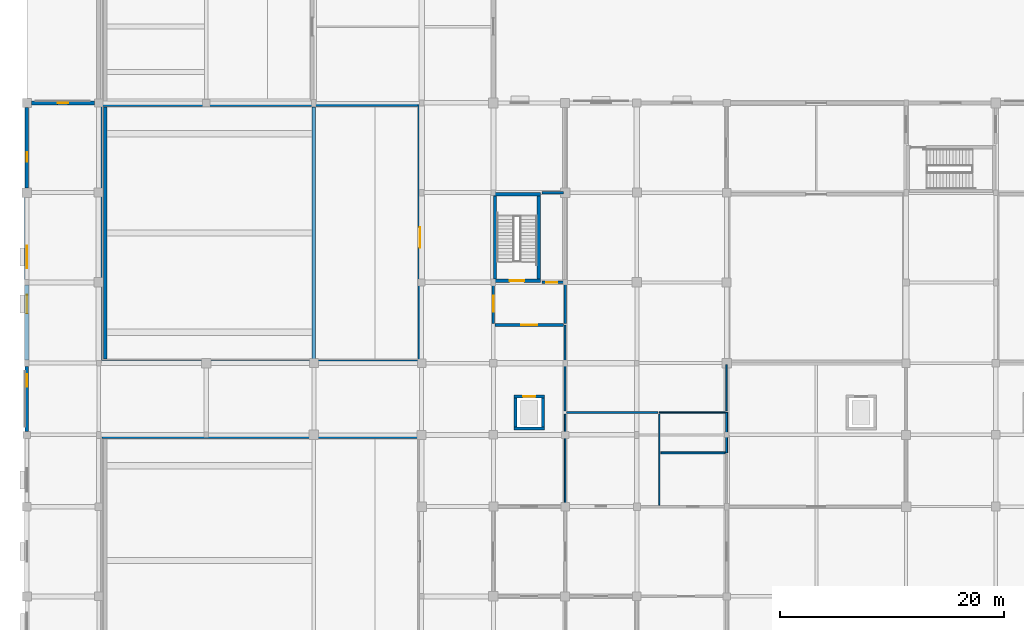
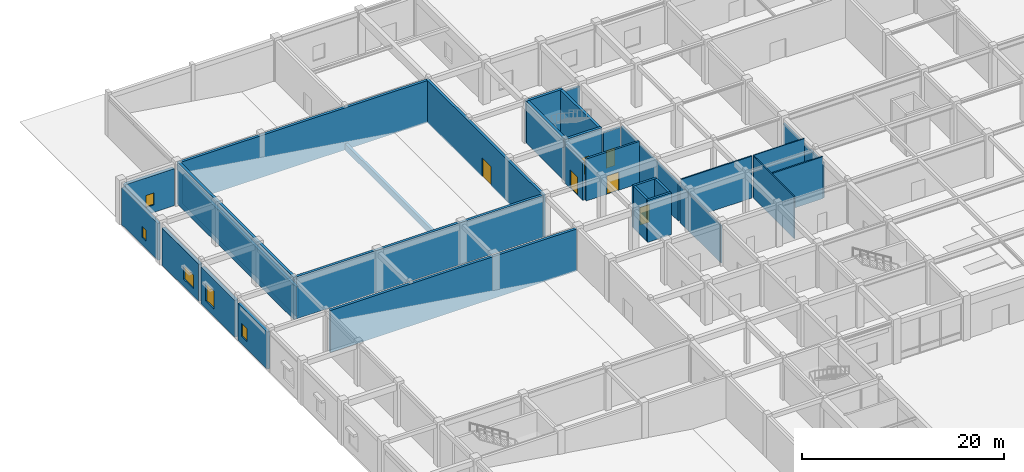
# One storey, part 28 of 40: 33 walls, 6 doors, 5 windows, 11 openings.
"""IFC4 building model written with IfcOpenShell, lengths in metres."""

from ifc_helpers import new_model, si_unit, direction, frame, frame_2d, origin, place, context, subcontext, project, spatial, rectangle, extrude, material, layer, layer_set, type_object, element, fill, save


model = new_model("IFC4")

# Units and contexts
model_context = context("Model", 3, precision=1e-05, world=origin(), true_north=direction((0.0, 1.0)))
body_context = subcontext(model_context, "Body", "Model", "MODEL_VIEW")
ifc_project = project(units=[si_unit("LENGTHUNIT", "METRE"), si_unit("AREAUNIT", "SQUARE_METRE"), si_unit("VOLUMEUNIT", "CUBIC_METRE"), si_unit("PLANEANGLEUNIT", "RADIAN"), si_unit("MASSUNIT", "GRAM", prefix="KILO")], contexts=[model_context])

# Site, building, storey
site_placement = place(None, origin())
site = spatial("IfcSite", under=ifc_project, at=site_placement, CompositionType="ELEMENT")
building_placement = place(site_placement, origin())
building = spatial("IfcBuilding", under=site, at=building_placement, Name="Vellmiral Cinema and Media Centre", CompositionType="ELEMENT")
storey_placement = place(building_placement, origin())
storey = spatial("IfcBuildingStorey", under=building, at=storey_placement, Name="L00", CompositionType="ELEMENT", Elevation=0.0)

# Walls
ifc_material_1 = material(Name="Concrete C40/50", Category="concrete")
ifc_layer_1 = layer(ifc_material_1, 0.2099609375, Name="Concrete C40/50")
ifc_layer_set_1 = layer_set([ifc_layer_1], Name="Concrete C40/50")
wall_type_1 = type_object("IfcWallType", Name="WL-COMP-210", PredefinedType="SOLIDWALL", material=ifc_layer_set_1)
wall_1_placement = place(storey_placement, frame((45.93994140625, 87.199951171875, 0.0), z_axis=(0.0, 0.0, 1.0), x_axis=(1.0, 0.0, 0.0)))
element("IfcWall", 1, at=wall_1_placement, inside=storey, type_object=wall_type_1, Name="North-West Core Smoke Riser Room Wall N", PredefinedType="SOLIDWALL", context=body_context, shape_type="SweptSolid", body=[
    extrude(rectangle(XDim=1.920166015625, YDim=0.2099609375, at=frame_2d((0.9599609375, 0.0))), origin(), (0.0, 0.0, 1.0), 4.574951171875),
])
ifc_material_2 = material(Name="Concrete C40/50", Category="concrete")
ifc_layer_2 = layer(ifc_material_2, 0.300048828125, Name="Concrete C40/50")
ifc_layer_set_2 = layer_set([ifc_layer_2], Name="Concrete C40/50")
wall_type_2 = type_object("IfcWallType", Name="WL-CORE-300", PredefinedType="SHEAR", material=ifc_layer_set_2)
for number, where, z_axis, x_axis, name in (
    (2, (6.699951171875, 65.449951171875, 0.0), (0.0, 0.0, 1.0), (1.0, 0.0, 0.0), "Cinema Screen 2 Acoustic Enclosure Wall L00-N1"),
    (3, (6.699951171875, 72.14990234375, 0.0), (0.0, 0.0, 1.0), (1.0, 0.0, 0.0), "Cinema Screen 3 Acoustic Enclosure Wall L00-S1"),
    (4, (6.699951171875, 95.050048828125, 0.0), (0.0, 0.0, 1.0), (1.0, 0.0, 0.0), "Cinema Screen 3 Acoustic Enclosure Wall L00-N1"),
):
    element("IfcWall", number, at=place(storey_placement, frame(where, z_axis=z_axis, x_axis=x_axis)), inside=storey, type_object=wall_type_2, Name=name, PredefinedType="SHEAR", context=body_context, shape_type="SweptSolid", body=[
        extrude(rectangle(XDim=28.199951171875, YDim=0.300048828125, at=frame_2d((14.10009765625, 0.0))), origin(), (0.0, 0.0, 1.0), 5.080078125),
    ])
wall_2_placement = place(storey_placement, frame((6.550048828125, 72.0, 0.0), z_axis=(0.0, 0.0, 1.0), x_axis=(0.0, 1.0, 0.0)))
element("IfcWall", 5, at=wall_2_placement, inside=storey, type_object=wall_type_2, Name="Cinema Screen 3 Acoustic Enclosure Wall L00-W1", PredefinedType="SHEAR", context=body_context, shape_type="SweptSolid", body=[
    extrude(rectangle(XDim=23.199951171875, YDim=0.300048828125, at=frame_2d((11.60009765625, 0.0))), origin(), (0.0, 0.0, 1.0), 5.080078125),
])

# Wall, opening, door
wall_3_placement = place(storey_placement, frame((35.050048828125, 72.0, 0.0), z_axis=(0.0, 0.0, 1.0), x_axis=(0.0, 1.0, 0.0)))
wall_3 = element("IfcWall", 6, at=wall_3_placement, inside=storey, type_object=wall_type_2, Name="Cinema Screen 3 Acoustic Enclosure Wall L00-E1", PredefinedType="SHEAR", context=body_context, shape_type="SweptSolid", body=[
    extrude(rectangle(XDim=23.199951171875, YDim=0.300048828125, at=frame_2d((11.60009765625, 0.0))), origin(), (0.0, 0.0, 1.0), 5.080078125),
])
opening_1_placement = place(wall_3_placement, frame((10.300048828125, 0.0, 0.0)))
opening_1 = element("IfcOpeningElement", 7, at=opening_1_placement, cuts=wall_3, Name="Opening D-AC1", PredefinedType="OPENING", context=body_context, shape_type="SweptSolid", body=[
    extrude(rectangle(XDim=1.800048828125, YDim=2.300048828125, at=frame_2d((0.89990234375, 1.14990234375))), frame((0.0, 0.162109375, 0.0), z_axis=(0.0, -1.0, 0.0), x_axis=(1.0, 0.0, 0.0)), (0.0, 0.0, 1.0), 0.323974609375),
])
ifc_material_3 = material(Name="Acoustic Steel Studio Door", Category="steel")
door_type_1 = type_object("IfcDoorType", Name="DR-AC-1800x2300", OperationType="DOUBLE_DOOR_SINGLE_SWING", PredefinedType="DOOR", material=ifc_material_3)
door_1_placement = place(opening_1_placement, frame((1.800048828125, 0.0, 0.0), z_axis=(0.0, 0.0, 1.0), x_axis=(-1.0, 0.0, 0.0)))
door_1 = element("IfcDoor", 8, at=door_1_placement, inside=storey, type_object=door_type_1, Name="Cinema Screen 3 Entrance Door", OperationType="DOUBLE_DOOR_SINGLE_SWING", OverallHeight=2.300048828125, OverallWidth=1.800048828125, PredefinedType="DOOR", context=body_context, shape_type="SweptSolid", body=[
    extrude(rectangle(XDim=1.800048828125, YDim=2.300048828125, at=frame_2d((0.89990234375, 1.14990234375))), frame((0.0, 0.02490234375, 0.0), z_axis=(0.0, -1.0, 0.0), x_axis=(1.0, 0.0, 0.0)), (0.0, 0.0, 1.0), 0.050048828125),
])
fill(opening_1, door_1)

wall_4_placement = place(storey_placement, frame((41.60009765625, 79.35009765625, 0.0), z_axis=(0.0, 0.0, 1.0), x_axis=(1.0, 0.0, 0.0)))
wall_4 = element("IfcWall", 9, at=wall_4_placement, inside=storey, type_object=wall_type_2, Name="Stair Core Wall ST-P2 L00-S", PredefinedType="SHEAR", context=body_context, shape_type="SweptSolid", body=[
    extrude(rectangle(XDim=4.199951171875, YDim=0.300048828125, at=frame_2d((2.10009765625, 0.0))), origin(), (0.0, 0.0, 1.0), 5.080078125),
])
opening_2_placement = place(wall_4_placement, frame((1.449951171875, 0.0, 0.0)))
opening_2 = element("IfcOpeningElement", 10, at=opening_2_placement, cuts=wall_4, Name="Opening D-FD30A", PredefinedType="OPENING", context=body_context, shape_type="SweptSolid", body=[
    extrude(rectangle(XDim=1.300048828125, YDim=2.179931640625, at=frame_2d((0.64990234375, 1.08984375))), frame((0.0, 0.162109375, 0.0), z_axis=(0.0, -1.0, 0.0), x_axis=(1.0, 0.0, 0.0)), (0.0, 0.0, 1.0), 0.323974609375),
])
ifc_material_4 = material(Name="Steel Stair Fire Door", Category="steel")
door_type_2 = type_object("IfcDoorType", Name="DR-FD30-1300x2180", OperationType="NOTDEFINED", PredefinedType="DOOR", material=ifc_material_4)
door_2_placement = place(opening_2_placement, frame((1.300048828125, 0.0, 0.0), z_axis=(0.0, 0.0, 1.0), x_axis=(-1.0, 0.0, 0.0)))
door_2 = element("IfcDoor", 11, at=door_2_placement, inside=storey, type_object=door_type_2, Name="Protected Stair Door ST-P2 L00", OperationType="SINGLE_SWING_RIGHT", OverallHeight=2.179931640625, OverallWidth=1.300048828125, PredefinedType="DOOR", context=body_context, shape_type="SweptSolid", body=[
    extrude(rectangle(XDim=1.300048828125, YDim=2.179931640625, at=frame_2d((0.64990234375, 1.08984375))), frame((0.0, 0.02490234375, 0.0), z_axis=(0.0, -1.0, 0.0), x_axis=(1.0, 0.0, 0.0)), (0.0, 0.0, 1.0), 0.050048828125),
])
fill(opening_2, door_2)

# Walls
wall_5_placement = place(storey_placement, frame((41.60009765625, 87.050048828125, 0.0), z_axis=(0.0, 0.0, 1.0), x_axis=(1.0, 0.0, 0.0)))
element("IfcWall", 12, at=wall_5_placement, inside=storey, type_object=wall_type_2, Name="Stair Core Wall ST-P2 L00-N", PredefinedType="SHEAR", context=body_context, shape_type="SweptSolid", body=[
    extrude(rectangle(XDim=4.199951171875, YDim=0.300048828125, at=frame_2d((2.10009765625, 0.0))), origin(), (0.0, 0.0, 1.0), 5.080078125),
])
for number, where, z_axis, x_axis, name in (
    (13, (41.75, 79.5, 0.0), (0.0, 0.0, 1.0), (0.0, 1.0, 0.0), "Stair Core Wall ST-P2 L00-W"),
    (14, (45.64990234375, 79.5, 0.0), (0.0, 0.0, 1.0), (0.0, 1.0, 0.0), "Stair Core Wall ST-P2 L00-E"),
):
    element("IfcWall", number, at=place(storey_placement, frame(where, z_axis=z_axis, x_axis=x_axis)), inside=storey, type_object=wall_type_2, Name=name, PredefinedType="SHEAR", context=body_context, shape_type="SweptSolid", body=[
        extrude(rectangle(XDim=7.39990234375, YDim=0.300048828125, at=frame_2d((3.699951171875, 0.0))), origin(), (0.0, 0.0, 1.0), 5.080078125),
    ])

# Wall, opening, window
ifc_material_5 = material(Name="Polychrome Glazed Ceramic Cladding", Category="masonry")
ifc_layer_3 = layer(ifc_material_5, 0.320068359375, Name="Polychrome Glazed Ceramic Cladding")
ifc_layer_set_3 = layer_set([ifc_layer_3], Name="Polychrome Glazed Ceramic Cladding")
wall_type_3 = type_object("IfcWallType", Name="WL-EXT-BRICK-320", PredefinedType="SOLIDWALL", material=ifc_layer_set_3)
wall_6_placement = place(storey_placement, frame((0.0, 94.800048828125, 0.0), z_axis=(0.0, 0.0, 1.0), x_axis=(0.0, -1.0, 0.0)))
wall_6 = element("IfcWall", 15, at=wall_6_placement, inside=storey, type_object=wall_type_3, Name="Exterior Facade Wall L00-069", PredefinedType="SOLIDWALL", context=body_context, shape_type="SweptSolid", body=[
    extrude(rectangle(XDim=7.175048828125, YDim=0.320068359375, at=frame_2d((3.58740234375, 0.0))), origin(), (0.0, 0.0, 1.0), 4.47998046875),
])
opening_3_placement = place(wall_6_placement, frame((4.012451171875, 0.0, 0.89990234375)))
opening_3 = element("IfcOpeningElement", 16, at=opening_3_placement, cuts=wall_6, Name="Opening WN-13", PredefinedType="OPENING", context=body_context, shape_type="SweptSolid", body=[
    extrude(rectangle(XDim=0.85009765625, YDim=1.35009765625, at=frame_2d((0.425048828125, 0.675048828125))), frame((0.0, 0.171875, 0.0), z_axis=(0.0, -1.0, 0.0), x_axis=(1.0, 0.0, 0.0)), (0.0, 0.0, 1.0), 0.343994140625),
])
ifc_material_6 = material(Name="Thermally Broken Aluminium Triple Glazing", Category="aluminium")
window_type_1 = type_object("IfcWindowType", Name="WN-0850x1350", PartitioningType="SINGLE_PANEL", PredefinedType="WINDOW", material=ifc_material_6)
window_1_placement = place(opening_3_placement, origin())
window_1 = element("IfcWindow", 17, at=window_1_placement, inside=storey, type_object=window_type_1, Name="Window L00-069", OverallHeight=1.35009765625, OverallWidth=0.85009765625, PartitioningType="SINGLE_PANEL", PredefinedType="WINDOW", context=body_context, shape_type="SweptSolid", body=[
    extrude(rectangle(XDim=0.85009765625, YDim=1.35009765625, at=frame_2d((0.425048828125, 0.675048828125))), frame((0.0, 0.030029296875, 0.0), z_axis=(0.0, -1.0, 0.0), x_axis=(1.0, 0.0, 0.0)), (0.0, 0.0, 1.0), 0.06005859375),
])
fill(opening_3, window_1)

wall_7_placement = place(storey_placement, frame((0.0, 71.699951171875, 0.0), z_axis=(0.0, 0.0, 1.0), x_axis=(0.0, -1.0, 0.0)))
wall_7 = element("IfcWall", 18, at=wall_7_placement, inside=storey, type_object=wall_type_3, Name="Exterior Facade Wall L00-072", PredefinedType="SOLIDWALL", context=body_context, shape_type="SweptSolid", body=[
    extrude(rectangle(XDim=5.77490234375, YDim=0.320068359375, at=frame_2d((2.887451171875, 0.0))), origin(), (0.0, 0.0, 1.0), 4.47998046875),
])
opening_4_placement = place(wall_7_placement, frame((0.6875, 0.0, 0.89990234375)))
opening_4 = element("IfcOpeningElement", 19, at=opening_4_placement, cuts=wall_7, Name="Opening WN-11", PredefinedType="OPENING", context=body_context, shape_type="SweptSolid", body=[
    extrude(rectangle(XDim=1.10009765625, YDim=1.550048828125, at=frame_2d((0.550048828125, 0.77490234375))), frame((0.0, 0.171875, 0.0), z_axis=(0.0, -1.0, 0.0), x_axis=(1.0, 0.0, 0.0)), (0.0, 0.0, 1.0), 0.343994140625),
])
ifc_material_7 = material(Name="Thermally Broken Aluminium Triple Glazing", Category="aluminium")
window_type_2 = type_object("IfcWindowType", Name="WN-1100x1550", PartitioningType="SINGLE_PANEL", PredefinedType="WINDOW", material=ifc_material_7)
window_2_placement = place(opening_4_placement, origin())
window_2 = element("IfcWindow", 20, at=window_2_placement, inside=storey, type_object=window_type_2, Name="Window L00-072", OverallHeight=1.550048828125, OverallWidth=1.10009765625, PartitioningType="SINGLE_PANEL", PredefinedType="WINDOW", context=body_context, shape_type="SweptSolid", body=[
    extrude(rectangle(XDim=1.10009765625, YDim=1.550048828125, at=frame_2d((0.550048828125, 0.77490234375))), frame((0.0, 0.030029296875, 0.0), z_axis=(0.0, -1.0, 0.0), x_axis=(1.0, 0.0, 0.0)), (0.0, 0.0, 1.0), 0.06005859375),
])
fill(opening_4, window_2)

ifc_material_8 = material(Name="Vosges Red Sandstone Masonry", Category="masonry")
ifc_layer_4 = layer(ifc_material_8, 0.3798828125, Name="Vosges Red Sandstone Masonry")
ifc_layer_set_4 = layer_set([ifc_layer_4], Name="Vosges Red Sandstone Masonry")
wall_type_4 = type_object("IfcWallType", Name="WL-EXT-SAND-380", PredefinedType="SOLIDWALL", material=ifc_layer_set_4)
wall_8_placement = place(storey_placement, frame((6.02490234375, 95.199951171875, 0.0), z_axis=(0.0, 0.0, 1.0), x_axis=(-1.0, 0.0, 0.0)))
wall_8 = element("IfcWall", 21, at=wall_8_placement, inside=storey, type_object=wall_type_4, Name="Exterior Facade Wall L00-068", PredefinedType="SOLIDWALL", context=body_context, shape_type="SweptSolid", body=[
    extrude(rectangle(XDim=5.625, YDim=0.3798828125, at=frame_2d((2.8125, 0.0))), origin(), (0.0, 0.0, 1.0), 4.47998046875),
])
opening_5_placement = place(wall_8_placement, frame((2.33740234375, 0.0, 0.89990234375)))
opening_5 = element("IfcOpeningElement", 22, at=opening_5_placement, cuts=wall_8, Name="Opening WN-12", PredefinedType="OPENING", context=body_context, shape_type="SweptSolid", body=[
    extrude(rectangle(XDim=0.949951171875, YDim=1.449951171875, at=frame_2d((0.47509765625, 0.72509765625))), frame((0.0, 0.201904296875, 0.0), z_axis=(0.0, -1.0, 0.0), x_axis=(1.0, 0.0, 0.0)), (0.0, 0.0, 1.0), 0.40380859375),
])
ifc_material_9 = material(Name="Thermally Broken Aluminium Triple Glazing", Category="aluminium")
window_type_3 = type_object("IfcWindowType", Name="WN-0950x1450", PartitioningType="SINGLE_PANEL", PredefinedType="WINDOW", material=ifc_material_9)
window_3_placement = place(opening_5_placement, origin())
window_3 = element("IfcWindow", 23, at=window_3_placement, inside=storey, type_object=window_type_3, Name="Window L00-068", OverallHeight=1.449951171875, OverallWidth=0.949951171875, PartitioningType="SINGLE_PANEL", PredefinedType="WINDOW", context=body_context, shape_type="SweptSolid", body=[
    extrude(rectangle(XDim=0.949951171875, YDim=1.449951171875, at=frame_2d((0.47509765625, 0.72509765625))), frame((0.0, 0.030029296875, 0.0), z_axis=(0.0, -1.0, 0.0), x_axis=(1.0, 0.0, 0.0)), (0.0, 0.0, 1.0), 0.06005859375),
])
fill(opening_5, window_3)

wall_9_placement = place(storey_placement, frame((0.0, 86.77490234375, 0.0), z_axis=(0.0, 0.0, 1.0), x_axis=(0.0, -1.0, 0.0)))
wall_9 = element("IfcWall", 24, at=wall_9_placement, inside=storey, type_object=wall_type_4, Name="Exterior Facade Wall L00-070", PredefinedType="SOLIDWALL", context=body_context, shape_type="SweptSolid", body=[
    extrude(rectangle(XDim=7.324951171875, YDim=0.3798828125, at=frame_2d((3.66259765625, 0.0))), origin(), (0.0, 0.0, 1.0), 4.47998046875),
])
opening_6_placement = place(wall_9_placement, frame((4.3125, 0.0, 0.89990234375)))
opening_6 = element("IfcOpeningElement", 25, at=opening_6_placement, cuts=wall_9, Name="Opening WN-14", PredefinedType="OPENING", context=body_context, shape_type="SweptSolid", body=[
    extrude(rectangle(XDim=2.0, YDim=1.64990234375, at=frame_2d((1.0, 0.824951171875))), frame((0.0, 0.201904296875, 0.0), z_axis=(0.0, -1.0, 0.0), x_axis=(1.0, 0.0, 0.0)), (0.0, 0.0, 1.0), 0.40380859375),
])
ifc_material_10 = material(Name="Thermally Broken Aluminium Triple Glazing", Category="aluminium")
window_type_4 = type_object("IfcWindowType", Name="WN-2000x1650", PartitioningType="DOUBLE_PANEL_HORIZONTAL", PredefinedType="WINDOW", material=ifc_material_10)
window_4_placement = place(opening_6_placement, origin())
window_4 = element("IfcWindow", 26, at=window_4_placement, inside=storey, type_object=window_type_4, Name="Window L00-070", OverallHeight=1.64990234375, OverallWidth=2.0, PartitioningType="DOUBLE_PANEL_HORIZONTAL", PredefinedType="WINDOW", context=body_context, shape_type="SweptSolid", body=[
    extrude(rectangle(XDim=2.0, YDim=1.64990234375, at=frame_2d((1.0, 0.824951171875))), frame((0.0, 0.030029296875, 0.0), z_axis=(0.0, -1.0, 0.0), x_axis=(1.0, 0.0, 0.0)), (0.0, 0.0, 1.0), 0.06005859375),
])
fill(opening_6, window_4)

wall_10_placement = place(storey_placement, frame((0.0, 78.949951171875, 0.0), z_axis=(0.0, 0.0, 1.0), x_axis=(0.0, -1.0, 0.0)))
wall_10 = element("IfcWall", 27, at=wall_10_placement, inside=storey, type_object=wall_type_4, Name="Exterior Facade Wall L00-071", PredefinedType="SOLIDWALL", context=body_context, shape_type="SweptSolid", body=[
    extrude(rectangle(XDim=6.64990234375, YDim=0.3798828125, at=frame_2d((3.324951171875, 0.0))), origin(), (0.0, 0.0, 1.0), 4.465087890625),
])
opening_7_placement = place(wall_10_placement, frame((0.85009765625, 0.0, 0.89990234375)))
opening_7 = element("IfcOpeningElement", 28, at=opening_7_placement, cuts=wall_10, Name="Opening WN-15", PredefinedType="OPENING", context=body_context, shape_type="SweptSolid", body=[
    extrude(rectangle(XDim=1.64990234375, YDim=2.199951171875, at=frame_2d((0.824951171875, 1.10009765625))), frame((0.0, 0.201904296875, 0.0), z_axis=(0.0, -1.0, 0.0), x_axis=(1.0, 0.0, 0.0)), (0.0, 0.0, 1.0), 0.40380859375),
])
ifc_material_11 = material(Name="Thermally Broken Aluminium Triple Glazing", Category="aluminium")
window_type_5 = type_object("IfcWindowType", Name="WN-1650x2200", PartitioningType="TRIPLE_PANEL_HORIZONTAL", PredefinedType="WINDOW", material=ifc_material_11)
window_5_placement = place(opening_7_placement, origin())
window_5 = element("IfcWindow", 29, at=window_5_placement, inside=storey, type_object=window_type_5, Name="Window L00-071", OverallHeight=2.199951171875, OverallWidth=1.64990234375, PartitioningType="TRIPLE_PANEL_HORIZONTAL", PredefinedType="WINDOW", context=body_context, shape_type="SweptSolid", body=[
    extrude(rectangle(XDim=1.64990234375, YDim=2.199951171875, at=frame_2d((0.824951171875, 1.10009765625))), frame((0.0, 0.030029296875, 0.0), z_axis=(0.0, -1.0, 0.0), x_axis=(1.0, 0.0, 0.0)), (0.0, 0.0, 1.0), 0.06005859375),
])
fill(opening_7, window_5)

# Wall, opening, door
ifc_material_12 = material(Name="Concrete C40/50", Category="concrete")
ifc_layer_5 = layer(ifc_material_12, 0.22998046875, Name="Concrete C40/50")
ifc_layer_set_5 = layer_set([ifc_layer_5], Name="Concrete C40/50")
wall_type_5 = type_object("IfcWallType", Name="WL-FFL-230", PredefinedType="SOLIDWALL", material=ifc_layer_set_5)
wall_11_placement = place(storey_placement, frame((41.739990234375, 75.39990234375, 0.0), z_axis=(0.0, 0.0, 1.0), x_axis=(1.0, 0.0, 0.0)))
wall_11 = element("IfcWall", 30, at=wall_11_placement, inside=storey, type_object=wall_type_5, Name="Firefighting Stair Lobby ST-P2 Wall S", PredefinedType="SOLIDWALL", context=body_context, shape_type="SweptSolid", body=[
    extrude(rectangle(XDim=6.1201171875, YDim=0.22998046875, at=frame_2d((3.06005859375, 0.0))), origin(), (0.0, 0.0, 1.0), 5.080078125),
])
opening_8_placement = place(wall_11_placement, frame((2.360107421875, 0.0, 0.0)))
opening_8 = element("IfcOpeningElement", 31, at=opening_8_placement, cuts=wall_11, Name="Opening D-FD60B", PredefinedType="OPENING", context=body_context, shape_type="SweptSolid", body=[
    extrude(rectangle(XDim=1.39990234375, YDim=2.199951171875, at=frame_2d((0.699951171875, 1.10009765625))), frame((0.0, 0.126953125, 0.0), z_axis=(0.0, -1.0, 0.0), x_axis=(1.0, 0.0, 0.0)), (0.0, 0.0, 1.0), 0.25390625),
])
ifc_material_13 = material(Name="Steel Fire Door", Category="steel")
door_type_3 = type_object("IfcDoorType", Name="DR-FD60-1400x2200", OperationType="NOTDEFINED", PredefinedType="DOOR", material=ifc_material_13)
door_3_placement = place(opening_8_placement, frame((1.39990234375, 0.0, 0.0), z_axis=(0.0, 0.0, 1.0), x_axis=(-1.0, 0.0, 0.0)))
door_3 = element("IfcDoor", 32, at=door_3_placement, inside=storey, type_object=door_type_3, Name="Firefighting Stair Lobby ST-P2 Door", OperationType="SINGLE_SWING_LEFT", OverallHeight=2.199951171875, OverallWidth=1.39990234375, PredefinedType="DOOR", context=body_context, shape_type="SweptSolid", body=[
    extrude(rectangle(XDim=1.39990234375, YDim=2.199951171875, at=frame_2d((0.699951171875, 1.10009765625))), frame((0.0, 0.02490234375, 0.0), z_axis=(0.0, -1.0, 0.0), x_axis=(1.0, 0.0, 0.0)), (0.0, 0.0, 1.0), 0.050048828125),
])
fill(opening_8, door_3)

wall_12_placement = place(storey_placement, frame((45.93994140625, 79.199951171875, 0.0), z_axis=(0.0, 0.0, 1.0), x_axis=(1.0, 0.0, 0.0)))
wall_12 = element("IfcWall", 33, at=wall_12_placement, inside=storey, type_object=wall_type_5, Name="Firefighting Stair Lobby ST-P2 Wall N", PredefinedType="SOLIDWALL", context=body_context, shape_type="SweptSolid", body=[
    extrude(rectangle(XDim=1.920166015625, YDim=0.22998046875, at=frame_2d((0.9599609375, 0.0))), origin(), (0.0, 0.0, 1.0), 4.47509765625),
])
opening_9_placement = place(wall_12_placement, frame((0.360107421875, 0.0, 0.0)))
opening_9 = element("IfcOpeningElement", 34, at=opening_9_placement, cuts=wall_12, Name="Opening D-FD30B", PredefinedType="OPENING", context=body_context, shape_type="SweptSolid", body=[
    extrude(rectangle(XDim=1.0, YDim=2.14990234375, at=frame_2d((0.5, 1.074951171875))), frame((0.0, 0.126953125, 0.0), z_axis=(0.0, -1.0, 0.0), x_axis=(1.0, 0.0, 0.0)), (0.0, 0.0, 1.0), 0.25390625),
])
ifc_material_14 = material(Name="Steel Riser Fire Door", Category="steel")
door_type_4 = type_object("IfcDoorType", Name="DR-FD30-1000x2150", OperationType="NOTDEFINED", PredefinedType="DOOR", material=ifc_material_14)
door_4_placement = place(opening_9_placement, origin())
door_4 = element("IfcDoor", 35, at=door_4_placement, inside=storey, type_object=door_type_4, Name="North-West Core Smoke Riser Room Door", OperationType="SINGLE_SWING_LEFT", OverallHeight=2.14990234375, OverallWidth=1.0, PredefinedType="DOOR", context=body_context, shape_type="SweptSolid", body=[
    extrude(rectangle(XDim=1.0, YDim=2.14990234375, at=frame_2d((0.5, 1.074951171875))), frame((0.0, 0.02490234375, 0.0), z_axis=(0.0, -1.0, 0.0), x_axis=(1.0, 0.0, 0.0)), (0.0, 0.0, 1.0), 0.050048828125),
])
fill(opening_9, door_4)

wall_13_placement = place(storey_placement, frame((41.60009765625, 75.5400390625, 0.0), z_axis=(0.0, 0.0, 1.0), x_axis=(0.0, 1.0, 0.0)))
wall_13 = element("IfcWall", 36, at=wall_13_placement, inside=storey, type_object=wall_type_5, Name="Firefighting Stair Lobby ST-P2 Wall W", PredefinedType="SOLIDWALL", context=body_context, shape_type="SweptSolid", body=[
    extrude(rectangle(XDim=3.52001953125, YDim=0.22998046875, at=frame_2d((1.760009765625, 0.0))), origin(), (0.0, 0.0, 1.0), 4.574951171875),
])
opening_10_placement = place(wall_13_placement, frame((1.06005859375, 0.0, 0.0)))
opening_10 = element("IfcOpeningElement", 37, at=opening_10_placement, cuts=wall_13, Name="Opening D-FD60B", PredefinedType="OPENING", context=body_context, shape_type="SweptSolid", body=[
    extrude(rectangle(XDim=1.39990234375, YDim=2.199951171875, at=frame_2d((0.699951171875, 1.10009765625))), frame((0.0, 0.126953125, 0.0), z_axis=(0.0, -1.0, 0.0), x_axis=(1.0, 0.0, 0.0)), (0.0, 0.0, 1.0), 0.25390625),
])
door_5_placement = place(opening_10_placement, origin())
door_5 = element("IfcDoor", 38, at=door_5_placement, inside=storey, type_object=door_type_3, Name="Firefighting Stair Lobby ST-P2 Door", OperationType="SINGLE_SWING_RIGHT", OverallHeight=2.199951171875, OverallWidth=1.39990234375, PredefinedType="DOOR", context=body_context, shape_type="SweptSolid", body=[
    extrude(rectangle(XDim=1.39990234375, YDim=2.199951171875, at=frame_2d((0.699951171875, 1.10009765625))), frame((0.0, 0.02490234375, 0.0), z_axis=(0.0, -1.0, 0.0), x_axis=(1.0, 0.0, 0.0)), (0.0, 0.0, 1.0), 0.050048828125),
])
fill(opening_10, door_5)

# Walls
wall_14_placement = place(storey_placement, frame((48.0, 75.5400390625, 0.0), z_axis=(0.0, 0.0, 1.0), x_axis=(0.0, 1.0, 0.0)))
element("IfcWall", 39, at=wall_14_placement, inside=storey, type_object=wall_type_5, Name="Firefighting Stair Lobby ST-P2 Wall E", PredefinedType="SOLIDWALL", context=body_context, shape_type="SweptSolid", body=[
    extrude(rectangle(XDim=3.52001953125, YDim=0.22998046875, at=frame_2d((1.760009765625, 0.0))), origin(), (0.0, 0.0, 1.0), 4.625),
])
ifc_material_15 = material(Name="Gypsum Plasterboard")
ifc_layer_6 = layer(ifc_material_15, 0.02490234375, Name="Gypsum Plasterboard", Category="gypsum")
ifc_material_16 = material(Name="Mineral Wool Acoustic Insulation", Category="insulation")
ifc_layer_7 = layer(ifc_material_16, 0.06005859375, Name="Mineral Wool Acoustic Insulation", Category="insulation")
ifc_layer_8 = layer(ifc_material_15, 0.02490234375, Name="Gypsum Plasterboard", Category="gypsum")
ifc_layer_set_6 = layer_set([ifc_layer_6, ifc_layer_7, ifc_layer_8], Name="Gypsum Plasterboard")
wall_type_6 = type_object("IfcWallType", Name="WL-PART-110", PredefinedType="PARTITIONING", material=ifc_layer_set_6)
wall_15_placement = place(storey_placement, frame((56.39990234375, 59.340087890625, 0.0), z_axis=(0.0, 0.0, 1.0), x_axis=(0.0, 1.0, 0.0)))
element("IfcWall", 40, at=wall_15_placement, inside=storey, type_object=wall_type_6, Name="Foyer Public WC Wall E", PredefinedType="PARTITIONING", context=body_context, shape_type="SweptSolid", body=[
    extrude(rectangle(XDim=8.119873046875, YDim=0.110107421875, at=frame_2d((4.06005859375, 0.0))), origin(), (0.0, 0.0, 1.0), 5.080078125),
])
wall_16_placement = place(storey_placement, frame((56.39990234375, 67.60009765625, 0.0), z_axis=(0.0, 0.0, 1.0), x_axis=(1.0, 0.0, 0.0)))
element("IfcWall", 41, at=wall_16_placement, inside=storey, type_object=wall_type_6, Name="Media Library Lower Reading Hall Wall S", PredefinedType="PARTITIONING", context=body_context, shape_type="SweptSolid", body=[
    extrude(rectangle(XDim=5.860107421875, YDim=0.110107421875, at=frame_2d((2.93017578125, 0.0))), origin(), (0.0, 0.0, 1.0), 5.080078125),
])
ifc_material_17 = material(Name="Gypsum Plasterboard")
ifc_layer_9 = layer(ifc_material_17, 0.02490234375, Name="Gypsum Plasterboard", Category="gypsum")
ifc_material_18 = material(Name="Mineral Wool Acoustic Insulation", Category="insulation")
ifc_layer_10 = layer(ifc_material_18, 0.080078125, Name="Mineral Wool Acoustic Insulation", Category="insulation")
ifc_layer_11 = layer(ifc_material_17, 0.02490234375, Name="Gypsum Plasterboard", Category="gypsum")
ifc_layer_set_7 = layer_set([ifc_layer_9, ifc_layer_10, ifc_layer_11], Name="Gypsum Plasterboard")
wall_type_7 = type_object("IfcWallType", Name="WL-PART-130", PredefinedType="PARTITIONING", material=ifc_layer_set_7)
wall_17_placement = place(storey_placement, frame((48.0, 59.340087890625, 0.0), z_axis=(0.0, 0.0, 1.0), x_axis=(0.0, 1.0, 0.0)))
element("IfcWall", 42, at=wall_17_placement, inside=storey, type_object=wall_type_7, Name="Foyer Public WC Wall W", PredefinedType="PARTITIONING", context=body_context, shape_type="SweptSolid", body=[
    extrude(rectangle(XDim=8.119873046875, YDim=0.1298828125, at=frame_2d((4.06005859375, 0.0))), origin(), (0.0, 0.0, 1.0), 4.52490234375),
])
ifc_material_19 = material(Name="Gypsum Plasterboard")
ifc_layer_12 = layer(ifc_material_19, 0.02490234375, Name="Gypsum Plasterboard", Category="gypsum")
ifc_material_20 = material(Name="Mineral Wool Acoustic Insulation", Category="insulation")
ifc_layer_13 = layer(ifc_material_20, 0.10009765625, Name="Mineral Wool Acoustic Insulation", Category="insulation")
ifc_layer_14 = layer(ifc_material_19, 0.02490234375, Name="Gypsum Plasterboard", Category="gypsum")
ifc_layer_set_8 = layer_set([ifc_layer_12, ifc_layer_13, ifc_layer_14], Name="Gypsum Plasterboard")
wall_type_8 = type_object("IfcWallType", Name="WL-PART-150", PredefinedType="PARTITIONING", material=ifc_layer_set_8)
wall_18_placement = place(storey_placement, frame((48.139892578125, 67.60009765625, 0.0), z_axis=(0.0, 0.0, 1.0), x_axis=(1.0, 0.0, 0.0)))
element("IfcWall", 43, at=wall_18_placement, inside=storey, type_object=wall_type_8, Name="Foyer Public WC Wall N", PredefinedType="PARTITIONING", context=body_context, shape_type="SweptSolid", body=[
    extrude(rectangle(XDim=8.1201171875, YDim=0.14990234375, at=frame_2d((4.06005859375, 0.0))), origin(), (0.0, 0.0, 1.0), 5.080078125),
])
wall_19_placement = place(storey_placement, frame((62.39990234375, 67.739990234375, 0.0), z_axis=(0.0, 0.0, 1.0), x_axis=(0.0, 1.0, 0.0)))
element("IfcWall", 44, at=wall_19_placement, inside=storey, type_object=wall_type_8, Name="Media Library Lower Reading Hall Wall E", PredefinedType="PARTITIONING", context=body_context, shape_type="SweptSolid", body=[
    extrude(rectangle(XDim=4.1201171875, YDim=0.14990234375, at=frame_2d((2.06005859375, 0.0))), origin(), (0.0, 0.0, 1.0), 4.324951171875),
])
ifc_material_21 = material(Name="Gypsum Plasterboard")
ifc_layer_15 = layer(ifc_material_21, 0.02490234375, Name="Gypsum Plasterboard", Category="gypsum")
ifc_material_22 = material(Name="Mineral Wool Acoustic Insulation", Category="insulation")
ifc_layer_16 = layer(ifc_material_22, 0.1201171875, Name="Mineral Wool Acoustic Insulation", Category="insulation")
ifc_layer_17 = layer(ifc_material_21, 0.02490234375, Name="Gypsum Plasterboard", Category="gypsum")
ifc_layer_set_9 = layer_set([ifc_layer_15, ifc_layer_16, ifc_layer_17], Name="Gypsum Plasterboard")
wall_type_9 = type_object("IfcWallType", Name="WL-PART-170", PredefinedType="PARTITIONING", material=ifc_layer_set_9)
wall_20_placement = place(storey_placement, frame((56.5400390625, 64.0, 0.0), z_axis=(0.0, 0.0, 1.0), x_axis=(1.0, 0.0, 0.0)))
element("IfcWall", 45, at=wall_20_placement, inside=storey, type_object=wall_type_9, Name="Foyer Accessible WC Wall N", PredefinedType="PARTITIONING", context=body_context, shape_type="SweptSolid", body=[
    extrude(rectangle(XDim=5.719970703125, YDim=0.169921875, at=frame_2d((2.85986328125, 0.0))), origin(), (0.0, 0.0, 1.0), 5.080078125),
])
wall_21_placement = place(storey_placement, frame((62.39990234375, 64.0, 0.0), z_axis=(0.0, 0.0, 1.0), x_axis=(0.0, 1.0, 0.0)))
element("IfcWall", 46, at=wall_21_placement, inside=storey, type_object=wall_type_9, Name="Media Library Reception and Periodicals Wall W", PredefinedType="PARTITIONING", context=body_context, shape_type="SweptSolid", body=[
    extrude(rectangle(XDim=3.60009765625, YDim=0.169921875, at=frame_2d((1.800048828125, 0.0))), origin(), (0.0, 0.0, 1.0), 4.27490234375),
])
ifc_material_23 = material(Name="Gypsum Plasterboard")
ifc_layer_18 = layer(ifc_material_23, 0.02490234375, Name="Gypsum Plasterboard", Category="gypsum")
ifc_material_24 = material(Name="Mineral Wool Acoustic Insulation", Category="insulation")
ifc_layer_19 = layer(ifc_material_24, 0.139892578125, Name="Mineral Wool Acoustic Insulation", Category="insulation")
ifc_layer_20 = layer(ifc_material_23, 0.02490234375, Name="Gypsum Plasterboard", Category="gypsum")
ifc_layer_set_10 = layer_set([ifc_layer_18, ifc_layer_19, ifc_layer_20], Name="Gypsum Plasterboard")
wall_type_10 = type_object("IfcWallType", Name="WL-PART-190", PredefinedType="PARTITIONING", material=ifc_layer_set_10)
wall_22_placement = place(storey_placement, frame((48.0, 67.739990234375, 0.0), z_axis=(0.0, 0.0, 1.0), x_axis=(0.0, 1.0, 0.0)))
element("IfcWall", 47, at=wall_22_placement, inside=storey, type_object=wall_type_10, Name="Media Library Lower Reading Hall Wall W", PredefinedType="PARTITIONING", context=body_context, shape_type="SweptSolid", body=[
    extrude(rectangle(XDim=7.659912109375, YDim=0.18994140625, at=frame_2d((3.830078125, 0.0))), origin(), (0.0, 0.0, 1.0), 4.574951171875),
])
ifc_material_25 = material(Name="Concrete C40/50", Category="concrete")
ifc_layer_21 = layer(ifc_material_25, 0.300048828125, Name="Concrete C40/50")
ifc_layer_set_11 = layer_set([ifc_layer_21], Name="Concrete C40/50")
wall_type_11 = type_object("IfcWallType", Name="WL-RC-RAKER-300", PredefinedType="SHEAR", material=ifc_layer_set_11)
wall_23_placement = place(storey_placement, frame((25.60009765625, 72.35009765625, 0.0), z_axis=(0.0, 0.0, 1.0), x_axis=(0.0, 1.0, 0.0)))
element("IfcWall", 48, at=wall_23_placement, inside=storey, type_object=wall_type_11, Name="Cinema Screen 3 Raker Front Support Wall", PredefinedType="SHEAR", context=body_context, shape_type="SweptSolid", body=[
    extrude(rectangle(XDim=22.5, YDim=0.300048828125, at=frame_2d((11.25, 0.0))), origin(), (0.0, 0.0, 1.0), 0.7841796875),
])
wall_24_placement = place(storey_placement, frame((7.0, 72.35009765625, 0.0), z_axis=(0.0, 0.0, 1.0), x_axis=(0.0, 1.0, 0.0)))
element("IfcWall", 49, at=wall_24_placement, inside=storey, type_object=wall_type_11, Name="Cinema Screen 3 Raker Rear Support Wall", PredefinedType="SHEAR", context=body_context, shape_type="SweptSolid", body=[
    extrude(rectangle(XDim=22.5, YDim=0.300048828125, at=frame_2d((11.25, 0.0))), origin(), (0.0, 0.0, 1.0), 3.59716796875),
])
ifc_material_26 = material(Name="Concrete C40/50", Category="concrete")
ifc_layer_22 = layer(ifc_material_26, 0.25, Name="Concrete C40/50")
ifc_layer_set_12 = layer_set([ifc_layer_22], Name="Concrete C40/50")
wall_type_12 = type_object("IfcWallType", Name="WL-SHAFT-250", PredefinedType="SHEAR", material=ifc_layer_set_12)
wall_25_placement = place(storey_placement, frame((43.449951171875, 66.175048828125, 0.0), z_axis=(0.0, 0.0, 1.0), x_axis=(1.0, 0.0, 0.0)))
element("IfcWall", 50, at=wall_25_placement, inside=storey, type_object=wall_type_12, Name="Lift Shaft Wall LF-C1 L00-S", PredefinedType="SHEAR", context=body_context, shape_type="SweptSolid", body=[
    extrude(rectangle(XDim=2.699951171875, YDim=0.25, at=frame_2d((1.35009765625, 0.0))), origin(), (0.0, 0.0, 1.0), 5.080078125),
])

# Wall, opening, door
wall_26_placement = place(storey_placement, frame((43.449951171875, 69.02490234375, 0.0), z_axis=(0.0, 0.0, 1.0), x_axis=(1.0, 0.0, 0.0)))
wall_26 = element("IfcWall", 51, at=wall_26_placement, inside=storey, type_object=wall_type_12, Name="Lift Shaft Wall LF-C1 L00-N", PredefinedType="SHEAR", context=body_context, shape_type="SweptSolid", body=[
    extrude(rectangle(XDim=2.699951171875, YDim=0.25, at=frame_2d((1.35009765625, 0.0))), origin(), (0.0, 0.0, 1.0), 5.080078125),
])
opening_11_placement = place(wall_26_placement, frame((0.800048828125, 0.0, 0.0)))
opening_11 = element("IfcOpeningElement", 52, at=opening_11_placement, cuts=wall_26, Name="Opening LD-01", PredefinedType="OPENING", context=body_context, shape_type="SweptSolid", body=[
    extrude(rectangle(XDim=1.10009765625, YDim=2.14990234375, at=frame_2d((0.550048828125, 1.074951171875))), frame((0.0, 0.136962890625, 0.0), z_axis=(0.0, -1.0, 0.0), x_axis=(1.0, 0.0, 0.0)), (0.0, 0.0, 1.0), 0.27392578125),
])
ifc_material_27 = material(Name="Stainless Steel Lift Landing Door", Category="steel")
door_type_5 = type_object("IfcDoorType", Name="DR-LIFT-1100x2150", OperationType="SLIDING_TO_LEFT", PredefinedType="DOOR", material=ifc_material_27)
door_6_placement = place(opening_11_placement, origin())
door_6 = element("IfcDoor", 53, at=door_6_placement, inside=storey, type_object=door_type_5, Name="Lift Landing Door LF-C1 L00", OperationType="SLIDING_TO_LEFT", OverallHeight=2.14990234375, OverallWidth=1.10009765625, PredefinedType="DOOR", context=body_context, shape_type="SweptSolid", body=[
    extrude(rectangle(XDim=1.10009765625, YDim=2.14990234375, at=frame_2d((0.550048828125, 1.074951171875))), frame((0.0, 0.02490234375, 0.0), z_axis=(0.0, -1.0, 0.0), x_axis=(1.0, 0.0, 0.0)), (0.0, 0.0, 1.0), 0.050048828125),
])
fill(opening_11, door_6)

# Walls
for number, where, z_axis, x_axis, name in (
    (54, (43.574951171875, 66.300048828125, 0.0), (0.0, 0.0, 1.0), (0.0, 1.0, 0.0), "Lift Shaft Wall LF-C1 L00-W"),
    (55, (46.02490234375, 66.300048828125, 0.0), (0.0, 0.0, 1.0), (0.0, 1.0, 0.0), "Lift Shaft Wall LF-C1 L00-E"),
):
    element("IfcWall", number, at=place(storey_placement, frame(where, z_axis=z_axis, x_axis=x_axis)), inside=storey, type_object=wall_type_12, Name=name, PredefinedType="SHEAR", context=body_context, shape_type="SweptSolid", body=[
        extrude(rectangle(XDim=2.599853515625, YDim=0.25, at=frame_2d((1.2998046875, 0.0))), origin(), (0.0, 0.0, 1.0), 5.080078125),
    ])

save(model, "model.ifc")
